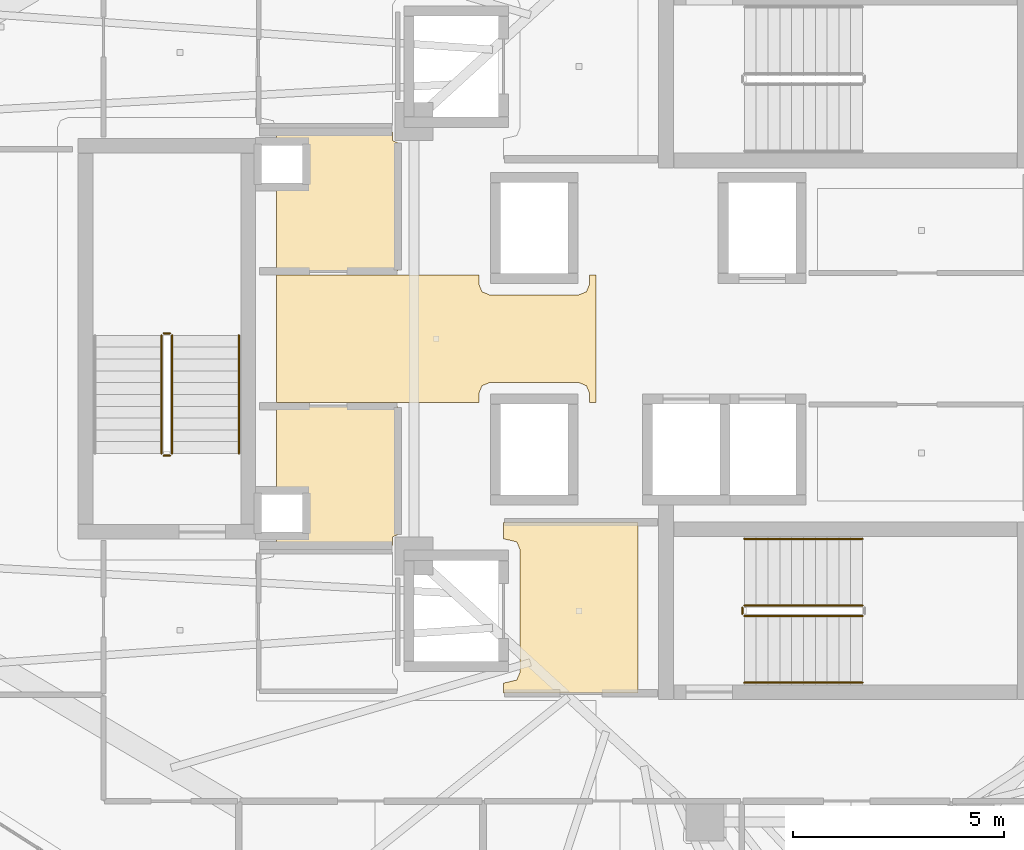
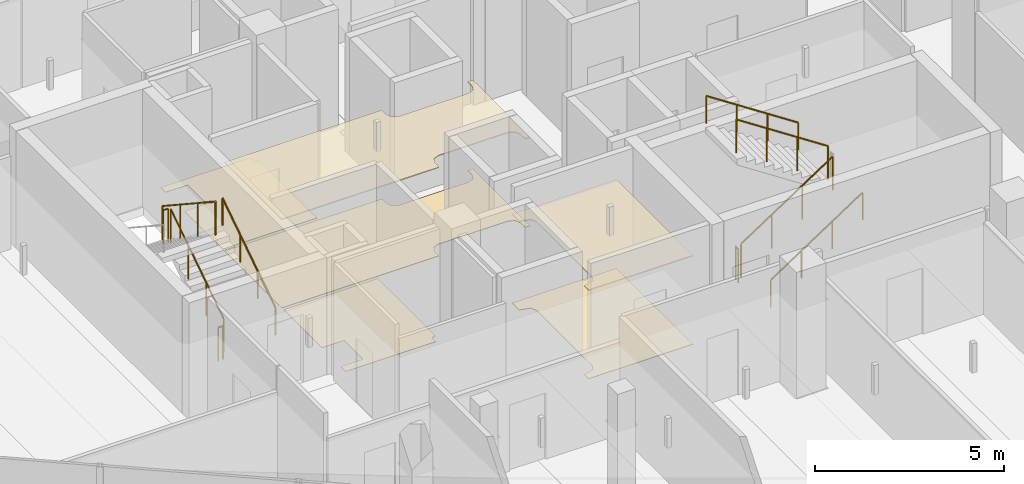
# One storey, part 29 of 33: 10 railings, 6 coverings.
"""IFC4 building model written with IfcOpenShell, lengths in metres."""

import ifcopenshell
import ifcopenshell.guid

model = None  # the IFC model being written
_history = None  # IfcOwnerHistory: only IFC2X3 demands one
_inside = {}  # id of a spatial element -> (the spatial element, [elements in it])
_under = {}  # id of a project, library or spatial element -> (it, [spatial elements below it])
_declared = {}  # id of a project -> (the project, [libraries it declares])
_typed = {}  # id of a type object -> (the type object, [elements of that type])
_made_of = {}  # id of a material, layer set ... -> (it, [elements and type objects made of it])


def new_model(schema):
    """Start an empty IFC model of exactly this schema.

    Asked for "IFC4X3", IfcOpenShell would pick the latest addendum, in which some entities
    have other attributes; the version numbers below select the first issue.
    IFC2X3 requires an IfcOwnerHistory on every rooted entity: one is made here for all.
    """
    global model, _history
    if schema == "IFC4X3":
        model = ifcopenshell.file(schema_version=(4, 3, 0, 0))
    else:
        model = ifcopenshell.file(schema=schema)
    _inside.clear()
    _under.clear()
    _declared.clear()
    _typed.clear()
    _made_of.clear()
    _history = None
    if model.schema == "IFC2X3":
        org = make("IfcOrganization", Name="unknown")
        user = make(
            "IfcPersonAndOrganization",
            ThePerson=make("IfcPerson", FamilyName="unknown"),
            TheOrganization=org,
        )
        app = make(
            "IfcApplication",
            ApplicationDeveloper=org,
            Version="unknown",
            ApplicationFullName="unknown",
            ApplicationIdentifier="unknown",
        )
        _history = make(
            "IfcOwnerHistory",
            OwningUser=user,
            OwningApplication=app,
            ChangeAction="ADDED",
            CreationDate=0,
        )
    return model


def make(cls, **values):
    """One entity of the class cls with the attributes given. An attribute that is None is left unset."""
    return model.create_entity(
        cls, **{name: value for name, value in values.items() if value is not None}
    )


def rooted(cls, **values):
    """An entity with a GlobalId (a new one), such as an element, a storey or a relation."""
    return make(cls, GlobalId=ifcopenshell.guid.new(), OwnerHistory=_history, **values)


def si_unit(unit_type, name, prefix=None):
    """IfcSIUnit, for example si_unit("LENGTHUNIT", "METRE", prefix="MILLI")."""
    return make("IfcSIUnit", UnitType=unit_type, Prefix=prefix, Name=name)


def assignment(units):
    """IfcUnitAssignment: the units of a project."""
    return None if units is None else make("IfcUnitAssignment", Units=units)


def point(xyz):
    """IfcCartesianPoint."""
    return None if xyz is None else make("IfcCartesianPoint", Coordinates=xyz)


def direction(xyz):
    """IfcDirection."""
    return None if xyz is None else make("IfcDirection", DirectionRatios=xyz)


def frame(location, z_axis=None, x_axis=None):
    """IfcAxis2Placement3D, a coordinate frame: its origin and axes. An axis left out is left unset."""
    return make(
        "IfcAxis2Placement3D",
        Location=point(location),
        Axis=direction(z_axis),
        RefDirection=direction(x_axis),
    )


def frame_2d(location, x_axis=None):
    """IfcAxis2Placement2D, a coordinate frame in the plane: its origin and x axis."""
    return make(
        "IfcAxis2Placement2D", Location=point(location), RefDirection=direction(x_axis)
    )


def origin():
    """The frame at (0, 0, 0) with its axes left unset."""
    return frame((0.0, 0.0, 0.0))


def origin_2d():
    """The frame at (0, 0) in the plane with its x axis left unset."""
    return frame_2d((0.0, 0.0))


def place(relative_to, where):
    """IfcLocalPlacement: puts the frame where relative to a parent placement (None: the world)."""
    return make(
        "IfcLocalPlacement", PlacementRelTo=relative_to, RelativePlacement=where
    )


def context(
    kind, dimensions, precision=None, world=None, true_north=None, identifier=None
):
    """IfcGeometricRepresentationContext, for example the 3D "Model" context."""
    return make(
        "IfcGeometricRepresentationContext",
        ContextIdentifier=identifier,
        ContextType=kind,
        CoordinateSpaceDimension=dimensions,
        Precision=precision,
        WorldCoordinateSystem=world,
        TrueNorth=true_north,
    )


def subcontext(parent, identifier, kind, view, scale=None):
    """IfcGeometricRepresentationSubContext, for example "Body" below "Model"."""
    return make(
        "IfcGeometricRepresentationSubContext",
        ContextIdentifier=identifier,
        ContextType=kind,
        ParentContext=parent,
        TargetScale=scale,
        TargetView=view,
    )


def project(units=None, contexts=None):
    """IfcProject with its units and contexts."""
    return rooted(
        "IfcProject",
        Name="project",
        RepresentationContexts=contexts,
        UnitsInContext=assignment(units),
    )


def spatial(cls, under=None, at=None, **own):
    """A site, building, storey or space (cls), placed at a placement, below another one or the project."""
    s = rooted(cls, ObjectPlacement=at, **own)
    if under is not None:
        _under.setdefault(under.id(), (under, []))[1].append(s)
    return s


def polyline(points):
    """IfcPolyline through the points."""
    return make("IfcPolyline", Points=[point(p) for p in points])


def profile(cls, at=None, kind="AREA", **sizes):
    """A parametric profile (cls). Its sizes go by their IFC names, for example OverallWidth=200.0."""
    return make(cls, ProfileType=kind, Position=at, **sizes)


def circle(**sizes):
    """IfcCircleProfileDef."""
    return profile("IfcCircleProfileDef", **sizes)


def outline(outer, holes=None, kind="AREA"):
    """IfcArbitraryClosedProfileDef: a profile drawn as a closed curve; with holes, ...WithVoids."""
    if holes is None:
        return make("IfcArbitraryClosedProfileDef", ProfileType=kind, OuterCurve=outer)
    return make(
        "IfcArbitraryProfileDefWithVoids",
        ProfileType=kind,
        OuterCurve=outer,
        InnerCurves=holes,
    )


def extrude(swept, where, along, depth):
    """IfcExtrudedAreaSolid: the profile swept, set in the frame where, extruded along a direction by depth."""
    return make(
        "IfcExtrudedAreaSolid",
        SweptArea=swept,
        Position=where,
        ExtrudedDirection=direction(along),
        Depth=depth,
    )


def shape(context_of_items, identifier, shape_type, items):
    """IfcShapeRepresentation: the items that make up one representation, for example the "Body"."""
    return make(
        "IfcShapeRepresentation",
        ContextOfItems=context_of_items,
        RepresentationIdentifier=identifier,
        RepresentationType=shape_type,
        Items=items,
    )


def material(Name=None, Category=None):
    """IfcMaterial."""
    return make("IfcMaterial", Name=Name, Category=Category)


def layer(
    of_material, thickness, ventilated=None, Name=None, Category=None, Priority=None
):
    """IfcMaterialLayer: one layer of a wall or slab, of a material (None: an air gap)."""
    return make(
        "IfcMaterialLayer",
        Material=of_material,
        LayerThickness=thickness,
        IsVentilated=ventilated,
        Name=Name,
        Category=Category,
        Priority=Priority,
    )


def layer_set(layers, Name=None):
    """IfcMaterialLayerSet."""
    return make("IfcMaterialLayerSet", MaterialLayers=layers, LayerSetName=Name)


def made_of(thing, what):
    """Note that an element or type object is made of a material, layer set ...; save() writes the relation."""
    if what is not None:
        _made_of.setdefault(what.id(), (what, []))[1].append(thing)
    return thing


def type_object(cls, material=None, **own):
    """A type object (cls), such as IfcWallType, which elements share."""
    return made_of(rooted(cls, **own), material)


def element(
    cls,
    number,
    at=None,
    inside=None,
    cuts=None,
    type_object=None,
    material=None,
    context=None,
    identifier="Body",
    shape_type=None,
    held_by="IfcProductDefinitionShape",
    body=None,
    shapes=None,
    **own,
):
    """One element of the class cls, such as IfcWall. Its Tag is "e" and its number.

    at: its placement. inside: the storey or other place that contains it. cuts: it is an
    opening in that element (IfcRelVoidsElement). A single representation is given by context,
    identifier, shape_type and body (its items); several are given by shapes. held_by: the class
    of the entity that holds the representations. save() writes the other relations.
    """
    e = rooted(cls, Tag="e%d" % number, ObjectPlacement=at, **own)
    if body is not None:
        shapes = [shape(context, identifier, shape_type, body)]
    if shapes is not None:
        e.Representation = make(held_by, Representations=shapes)
    if inside is not None:
        _inside.setdefault(inside.id(), (inside, []))[1].append(e)
    if cuts is not None:
        rooted(
            "IfcRelVoidsElement", RelatingBuildingElement=cuts, RelatedOpeningElement=e
        )
    if type_object is not None:
        _typed.setdefault(type_object.id(), (type_object, []))[1].append(e)
    return made_of(e, material)


def aggregate(whole, parts):
    """IfcRelAggregates: a whole, such as a stair, and the parts it consists of."""
    return rooted("IfcRelAggregates", RelatingObject=whole, RelatedObjects=parts)


def save(model, path):
    """Write the relations noted so far, then the file.

    IfcRelAggregates (storeys below a building ...), IfcRelContainedInSpatialStructure (elements
    in a storey), IfcRelDefinesByType, IfcRelAssociatesMaterial and IfcRelDeclares: one each for
    every whole, place, type object, material and project.
    """
    for whole, parts in _under.values():
        aggregate(whole, parts)
    for where, things in _inside.values():
        rooted(
            "IfcRelContainedInSpatialStructure",
            RelatedElements=things,
            RelatingStructure=where,
        )
    for kind, things in _typed.values():
        rooted("IfcRelDefinesByType", RelatedObjects=things, RelatingType=kind)
    for what, things in _made_of.values():
        rooted("IfcRelAssociatesMaterial", RelatedObjects=things, RelatingMaterial=what)
    for by, libraries in _declared.values():
        rooted("IfcRelDeclares", RelatingContext=by, RelatedDefinitions=libraries)
    model.write(path)


model = new_model("IFC4")

# Units and contexts
model_context = context("Model", 3, precision=1e-05, world=origin(), true_north=direction((0.0, 1.0)))
body_context = subcontext(model_context, "Body", "Model", "MODEL_VIEW")
ifc_project = project(units=[si_unit("LENGTHUNIT", "METRE"), si_unit("AREAUNIT", "SQUARE_METRE"), si_unit("VOLUMEUNIT", "CUBIC_METRE"), si_unit("PLANEANGLEUNIT", "RADIAN"), si_unit("MASSUNIT", "GRAM", prefix="KILO")], contexts=[model_context])

# Site, building, storey
site_placement = place(None, origin())
site = spatial("IfcSite", under=ifc_project, at=site_placement, CompositionType="ELEMENT")
building_placement = place(site_placement, origin())
building = spatial("IfcBuilding", under=site, at=building_placement, Name="Qorvath Tower", CompositionType="ELEMENT")
storey_placement = place(building_placement, frame((0.0, 0.0, 237.449951171875)))
storey = spatial("IfcBuildingStorey", under=building, at=storey_placement, Name="L55", CompositionType="ELEMENT", Elevation=237.449951171875)

# Coverings
ifc_material_1 = material(Name="Acoustic mineral fibre ceiling tile", Category="gypsum")
ifc_layer_1 = layer(ifc_material_1, 0.030029296875)
ifc_layer_set_1 = layer_set([ifc_layer_1], Name="COV-CEIL")
covering_type_1 = type_object("IfcCoveringType", Name="COV-CEIL", PredefinedType="CEILING", material=ifc_layer_set_1)
covering_1_placement = place(storey_placement, frame((0.0, 0.0, 2.85009765625)))
element("IfcCovering", 1, at=covering_1_placement, inside=storey, type_object=covering_type_1, Name="L55 Suspended Acoustic Ceiling 002", PredefinedType="CEILING", context=body_context, shape_type="SweptSolid", body=[
    extrude(outline(polyline([(-25.18994140625, -8.39501953125), (-25.18994140625, -4.35498046875), (-28.375, -4.35498046875), (-28.375, -4.739990234375), (-28.063232421875, -4.813232421875), (-27.989990234375, -4.989990234375), (-27.989990234375, -7.909912109375), (-28.063232421875, -8.086669921875), (-28.375, -8.159912109375), (-28.375, -8.39501953125), (-25.18994140625, -8.39501953125)])), origin(), (0.0, 0.0, 1.0), 0.030029296875),
])
covering_2_placement = place(storey_placement, frame((0.0, 0.0, 2.85009765625)))
element("IfcCovering", 2, at=covering_2_placement, inside=storey, type_object=covering_type_1, Name="L55 Suspended Acoustic Ceiling 011", PredefinedType="CEILING", context=body_context, shape_type="SweptSolid", body=[
    extrude(outline(polyline([(-26.183349609375, -1.514892578125), (-26.183349609375, 1.514892578125), (-26.340087890625, 1.514892578125), (-26.340087890625, 1.2900390625), (-26.413330078125, 1.11328125), (-26.590087890625, 1.0400390625), (-28.7099609375, 1.0400390625), (-28.88671875, 1.11328125), (-28.9599609375, 1.2900390625), (-28.9599609375, 1.514892578125), (-33.760009765625, 1.514892578125), (-33.760009765625, -1.514892578125), (-28.9599609375, -1.514892578125), (-28.9599609375, -1.2900390625), (-28.88671875, -1.11328125), (-28.7099609375, -1.0400390625), (-26.590087890625, -1.0400390625), (-26.413330078125, -1.11328125), (-26.340087890625, -1.2900390625), (-26.340087890625, -1.514892578125), (-26.183349609375, -1.514892578125)])), origin(), (0.0, 0.0, 1.0), 0.030029296875),
])
ifc_material_2 = material(Name="Low-VOC modular carpet tile", Category="textile")
ifc_layer_2 = layer(ifc_material_2, 0.014892578125)
ifc_layer_set_2 = layer_set([ifc_layer_2], Name="COV-FLOOR-CPT")
covering_type_2 = type_object("IfcCoveringType", Name="COV-FLOOR-CPT", PredefinedType="FLOORING", material=ifc_layer_set_2)
covering_3_placement = place(storey_placement, origin())
element("IfcCovering", 3, at=covering_3_placement, inside=storey, type_object=covering_type_2, Name="L55 Floor Finish 006", PredefinedType="FLOORING", context=body_context, shape_type="SweptSolid", body=[
    extrude(outline(polyline([(-31.010009765625, 4.89501953125), (-33.760009765625, 4.89501953125), (-33.760009765625, 4.633056640625), (-33.08837890625, 4.631591796875), (-33.0869140625, 3.64208984375), (-33.760009765625, 3.636962890625), (-33.760009765625, 1.60498046875), (-30.885009765625, 1.60498046875), (-30.885009765625, 4.639892578125), (-31.010009765625, 4.699951171875), (-31.010009765625, 4.89501953125)])), origin(), (0.0, 0.0, 1.0), 0.01513671875),
])
covering_4_placement = place(storey_placement, origin())
element("IfcCovering", 4, at=covering_4_placement, inside=storey, type_object=covering_type_2, Name="L55 Floor Finish 008", PredefinedType="FLOORING", context=body_context, shape_type="SweptSolid", body=[
    extrude(outline(polyline([(-30.885009765625, -1.60498046875), (-33.760009765625, -1.60498046875), (-33.760009765625, -3.636962890625), (-33.08837890625, -3.638427734375), (-33.0869140625, -4.6279296875), (-33.760009765625, -4.633056640625), (-33.760009765625, -4.89501953125), (-31.010009765625, -4.89501953125), (-31.010009765625, -4.699951171875), (-30.885009765625, -4.639892578125), (-30.885009765625, -1.60498046875)])), origin(), (0.0, 0.0, 1.0), 0.01513671875),
])
ifc_material_3 = material(Name="Polished epoxy terrazzo flooring", Category="concrete")
ifc_layer_3 = layer(ifc_material_3, 0.02001953125)
ifc_layer_set_3 = layer_set([ifc_layer_3], Name="COV-FLOOR-TRZ")
covering_type_3 = type_object("IfcCoveringType", Name="COV-FLOOR-TRZ", PredefinedType="FLOORING", material=ifc_layer_set_3)
covering_5_placement = place(storey_placement, origin())
element("IfcCovering", 5, at=covering_5_placement, inside=storey, type_object=covering_type_3, Name="L55 Floor Finish 002", PredefinedType="FLOORING", context=body_context, shape_type="SweptSolid", body=[
    extrude(outline(polyline([(-25.18994140625, -8.39501953125), (-25.18994140625, -4.35498046875), (-28.375, -4.35498046875), (-28.375, -4.739990234375), (-28.063232421875, -4.813232421875), (-27.989990234375, -4.989990234375), (-27.989990234375, -7.909912109375), (-28.063232421875, -8.086669921875), (-28.375, -8.159912109375), (-28.375, -8.39501953125), (-25.18994140625, -8.39501953125)])), origin(), (0.0, 0.0, 1.0), 0.01513671875),
])
covering_6_placement = place(storey_placement, origin())
element("IfcCovering", 6, at=covering_6_placement, inside=storey, type_object=covering_type_3, Name="L55 Floor Finish 011", PredefinedType="FLOORING", context=body_context, shape_type="SweptSolid", body=[
    extrude(outline(polyline([(-26.183349609375, -1.514892578125), (-26.183349609375, 1.514892578125), (-26.340087890625, 1.514892578125), (-26.340087890625, 1.2900390625), (-26.413330078125, 1.11328125), (-26.590087890625, 1.0400390625), (-28.7099609375, 1.0400390625), (-28.88671875, 1.11328125), (-28.9599609375, 1.2900390625), (-28.9599609375, 1.514892578125), (-33.760009765625, 1.514892578125), (-33.760009765625, -1.514892578125), (-28.9599609375, -1.514892578125), (-28.9599609375, -1.2900390625), (-28.88671875, -1.11328125), (-28.7099609375, -1.0400390625), (-26.590087890625, -1.0400390625), (-26.413330078125, -1.11328125), (-26.340087890625, -1.2900390625), (-26.340087890625, -1.514892578125), (-26.183349609375, -1.514892578125)])), origin(), (0.0, 0.0, 1.0), 0.01513671875),
])

# Railings
ifc_material_4 = material(Name="Painted galvanised steel", Category="steel")
railing_type_1 = type_object("IfcRailingType", Name="RL-STR-GRD", PredefinedType="GUARDRAIL", material=ifc_material_4)
railing_1_placement = place(storey_placement, frame((-22.669921875, -6.570068359375, 0.18408203125)))
element("IfcRailing", 7, at=railing_1_placement, inside=storey, type_object=railing_type_1, Name="L55 TS2 stair guard 1", PredefinedType="GUARDRAIL", context=body_context, shape_type="SweptSolid", body=[
    extrude(circle(Radius=0.02392578125, at=origin_2d()), frame((0.0, 0.0, 1.076171875), z_axis=(0.835542071712, 0.0, 0.549426470421), x_axis=(0.0, 1.0, 0.0)), (0.0, 0.0, 1.0), 3.350830078125),
    extrude(circle(Radius=0.02099609375, at=origin_2d()), origin(), (0.0, 0.0, 1.0), 1.052001953125),
    extrude(circle(Radius=0.02099609375, at=origin_2d()), frame((0.933349609375, 0.0, 0.61376953125)), (0.0, 0.0, 1.0), 1.052001953125),
    extrude(circle(Radius=0.02099609375, at=origin_2d()), frame((1.866455078125, 0.0, 1.227294921875)), (0.0, 0.0, 1.0), 1.052001953125),
    extrude(circle(Radius=0.02099609375, at=origin_2d()), frame((2.7998046875, 0.0, 1.841064453125)), (0.0, 0.0, 1.0), 1.052001953125),
])
railing_2_placement = place(storey_placement, frame((-19.8701171875, -6.320068359375, 2.209228515625)))
element("IfcRailing", 8, at=railing_2_placement, inside=storey, type_object=railing_type_1, Name="L55 TS2 stair guard 3", PredefinedType="GUARDRAIL", context=body_context, shape_type="SweptSolid", body=[
    extrude(circle(Radius=0.02392578125, at=origin_2d()), frame((0.0, 0.0, 1.076171875), z_axis=(-0.835575518608, 0.0, 0.549375602573), x_axis=(0.0, -1.0, 0.0)), (0.0, 0.0, 1.0), 3.350830078125),
    extrude(circle(Radius=0.02099609375, at=origin_2d()), origin(), (0.0, 0.0, 1.0), 1.052001953125),
    extrude(circle(Radius=0.02099609375, at=origin_2d()), frame((-0.933349609375, 0.0, 0.613525390625)), (0.0, 0.0, 1.0), 1.052001953125),
    extrude(circle(Radius=0.02099609375, at=origin_2d()), frame((-1.866455078125, 0.0, 1.227294921875)), (0.0, 0.0, 1.0), 1.052001953125),
    extrude(circle(Radius=0.02099609375, at=origin_2d()), frame((-2.7998046875, 0.0, 1.8408203125)), (0.0, 0.0, 1.0), 1.052001953125),
])
railing_3_placement = place(storey_placement, frame((-22.719970703125, -6.52001953125, 0.0)))
element("IfcRailing", 9, at=railing_3_placement, inside=storey, type_object=railing_type_1, Name="L55 TS2 stair guard 4", PredefinedType="GUARDRAIL", context=body_context, shape_type="SweptSolid", body=[
    extrude(circle(Radius=0.02392578125, at=origin_2d()), frame((0.0, 0.0, 1.076171875), z_axis=(0.0, 1.0, 0.0), x_axis=(-1.0, 0.0, 0.0)), (0.0, 0.0, 1.0), 0.14990234375),
    extrude(circle(Radius=0.02099609375, at=origin_2d()), origin(), (0.0, 0.0, 1.0), 1.052001953125),
    extrude(circle(Radius=0.02099609375, at=origin_2d()), frame((0.0, 0.14990234375, 0.0)), (0.0, 0.0, 1.0), 1.052001953125),
])
railing_4_placement = place(storey_placement, frame((-36.22998046875, -2.719970703125, 0.18408203125)))
element("IfcRailing", 10, at=railing_4_placement, inside=storey, type_object=railing_type_1, Name="L55 TS3 stair guard 1", PredefinedType="GUARDRAIL", context=body_context, shape_type="SweptSolid", body=[
    extrude(circle(Radius=0.02392578125, at=origin_2d()), frame((0.0, 0.0, 1.076171875), z_axis=(0.0, 0.83556406348, 0.549393024911), x_axis=(-1.0, 0.0, 0.0)), (0.0, 0.0, 1.0), 3.35107421875),
    extrude(circle(Radius=0.02099609375, at=origin_2d()), origin(), (0.0, 0.0, 1.0), 1.052001953125),
    extrude(circle(Radius=0.02099609375, at=origin_2d()), frame((0.0, 0.933349609375, 0.61376953125)), (0.0, 0.0, 1.0), 1.052001953125),
    extrude(circle(Radius=0.02099609375, at=origin_2d()), frame((0.0, 1.86669921875, 1.227294921875)), (0.0, 0.0, 1.0), 1.052001953125),
    extrude(circle(Radius=0.02099609375, at=origin_2d()), frame((0.0, 2.800048828125, 1.841064453125)), (0.0, 0.0, 1.0), 1.052001953125),
])
railing_5_placement = place(storey_placement, frame((-36.280029296875, 0.1298828125, 2.025146484375)))
element("IfcRailing", 11, at=railing_5_placement, inside=storey, type_object=railing_type_1, Name="L55 TS3 stair guard 2", PredefinedType="GUARDRAIL", context=body_context, shape_type="SweptSolid", body=[
    extrude(circle(Radius=0.02392578125, at=origin_2d()), frame((0.0, 0.0, 1.076171875), z_axis=(-1.0, 0.0, 0.0), x_axis=(0.0, -1.0, 0.0)), (0.0, 0.0, 1.0), 0.14990234375),
    extrude(circle(Radius=0.02099609375, at=origin_2d()), origin(), (0.0, 0.0, 1.0), 1.052001953125),
    extrude(circle(Radius=0.02099609375, at=origin_2d()), frame((-0.14990234375, 0.0, 0.0)), (0.0, 0.0, 1.0), 1.052001953125),
])
railing_6_placement = place(storey_placement, frame((-36.47998046875, 0.080078125, 2.209228515625)))
element("IfcRailing", 12, at=railing_6_placement, inside=storey, type_object=railing_type_1, Name="L55 TS3 stair guard 3", PredefinedType="GUARDRAIL", context=body_context, shape_type="SweptSolid", body=[
    extrude(circle(Radius=0.02392578125, at=origin_2d()), frame((0.0, 0.0, 1.076171875), z_axis=(0.0, -0.835597507184, 0.549342157483), x_axis=(1.0, 0.0, 0.0)), (0.0, 0.0, 1.0), 3.35107421875),
    extrude(circle(Radius=0.02099609375, at=origin_2d()), origin(), (0.0, 0.0, 1.0), 1.052001953125),
    extrude(circle(Radius=0.02099609375, at=origin_2d()), frame((0.0, -0.933349609375, 0.613525390625)), (0.0, 0.0, 1.0), 1.052001953125),
    extrude(circle(Radius=0.02099609375, at=origin_2d()), frame((0.0, -1.86669921875, 1.227294921875)), (0.0, 0.0, 1.0), 1.052001953125),
    extrude(circle(Radius=0.02099609375, at=origin_2d()), frame((0.0, -2.800048828125, 1.8408203125)), (0.0, 0.0, 1.0), 1.052001953125),
])
railing_7_placement = place(storey_placement, frame((-36.280029296875, -2.77001953125, 0.0)))
element("IfcRailing", 13, at=railing_7_placement, inside=storey, type_object=railing_type_1, Name="L55 TS3 stair guard 4", PredefinedType="GUARDRAIL", context=body_context, shape_type="SweptSolid", body=[
    extrude(circle(Radius=0.02392578125, at=origin_2d()), frame((0.0, 0.0, 1.076171875), z_axis=(-1.0, 0.0, 0.0), x_axis=(0.0, -1.0, 0.0)), (0.0, 0.0, 1.0), 0.14990234375),
    extrude(circle(Radius=0.02099609375, at=origin_2d()), origin(), (0.0, 0.0, 1.0), 1.052001953125),
    extrude(circle(Radius=0.02099609375, at=origin_2d()), frame((-0.14990234375, 0.0, 0.0)), (0.0, 0.0, 1.0), 1.052001953125),
])
ifc_material_5 = material(Name="Brushed stainless steel AISI 304", Category="steel")
railing_type_2 = type_object("IfcRailingType", Name="RL-STR-HND", PredefinedType="HANDRAIL", material=ifc_material_5)
railing_8_placement = place(storey_placement, frame((-22.669921875, -8.14990234375, 0.18408203125)))
element("IfcRailing", 14, at=railing_8_placement, inside=storey, type_object=railing_type_2, Name="L55 TS2 stair handrail 1", PredefinedType="HANDRAIL", context=body_context, shape_type="SweptSolid", body=[
    extrude(circle(Radius=0.02392578125, at=origin_2d()), frame((0.0, 0.0, 0.8759765625), z_axis=(0.835542071712, 0.0, 0.549426470421), x_axis=(0.0, 1.0, 0.0)), (0.0, 0.0, 1.0), 3.350830078125),
    extrude(circle(Radius=0.02099609375, at=origin_2d()), origin(), (0.0, 0.0, 1.0), 0.851806640625),
    extrude(circle(Radius=0.02099609375, at=origin_2d()), frame((0.933349609375, 0.0, 0.61376953125)), (0.0, 0.0, 1.0), 0.851806640625),
    extrude(circle(Radius=0.02099609375, at=origin_2d()), frame((1.866455078125, 0.0, 1.227294921875)), (0.0, 0.0, 1.0), 0.851806640625),
    extrude(circle(Radius=0.02099609375, at=origin_2d()), frame((2.7998046875, 0.0, 1.841064453125)), (0.0, 0.0, 1.0), 0.851806640625),
])
railing_9_placement = place(storey_placement, frame((-19.8701171875, -4.739990234375, 2.209228515625)))
element("IfcRailing", 15, at=railing_9_placement, inside=storey, type_object=railing_type_2, Name="L55 TS2 stair handrail 2", PredefinedType="HANDRAIL", context=body_context, shape_type="SweptSolid", body=[
    extrude(circle(Radius=0.02392578125, at=origin_2d()), frame((0.0, 0.0, 0.8759765625), z_axis=(-0.835575518608, 0.0, 0.549375602573), x_axis=(0.0, -1.0, 0.0)), (0.0, 0.0, 1.0), 3.350830078125),
    extrude(circle(Radius=0.02099609375, at=origin_2d()), origin(), (0.0, 0.0, 1.0), 0.851806640625),
    extrude(circle(Radius=0.02099609375, at=origin_2d()), frame((-0.933349609375, 0.0, 0.613525390625)), (0.0, 0.0, 1.0), 0.851806640625),
    extrude(circle(Radius=0.02099609375, at=origin_2d()), frame((-1.866455078125, 0.0, 1.227294921875)), (0.0, 0.0, 1.0), 0.851806640625),
    extrude(circle(Radius=0.02099609375, at=origin_2d()), frame((-2.7998046875, 0.0, 1.8408203125)), (0.0, 0.0, 1.0), 0.851806640625),
])
railing_10_placement = place(storey_placement, frame((-34.64990234375, -2.719970703125, 0.18408203125)))
element("IfcRailing", 16, at=railing_10_placement, inside=storey, type_object=railing_type_2, Name="L55 TS3 stair handrail 1", PredefinedType="HANDRAIL", context=body_context, shape_type="SweptSolid", body=[
    extrude(circle(Radius=0.02392578125, at=origin_2d()), frame((0.0, 0.0, 0.8759765625), z_axis=(0.0, 0.83556406348, 0.549393024911), x_axis=(-1.0, 0.0, 0.0)), (0.0, 0.0, 1.0), 3.35107421875),
    extrude(circle(Radius=0.02099609375, at=origin_2d()), origin(), (0.0, 0.0, 1.0), 0.851806640625),
    extrude(circle(Radius=0.02099609375, at=origin_2d()), frame((0.0, 0.933349609375, 0.61376953125)), (0.0, 0.0, 1.0), 0.851806640625),
    extrude(circle(Radius=0.02099609375, at=origin_2d()), frame((0.0, 1.86669921875, 1.227294921875)), (0.0, 0.0, 1.0), 0.851806640625),
    extrude(circle(Radius=0.02099609375, at=origin_2d()), frame((0.0, 2.800048828125, 1.841064453125)), (0.0, 0.0, 1.0), 0.851806640625),
])

save(model, "model.ifc")
